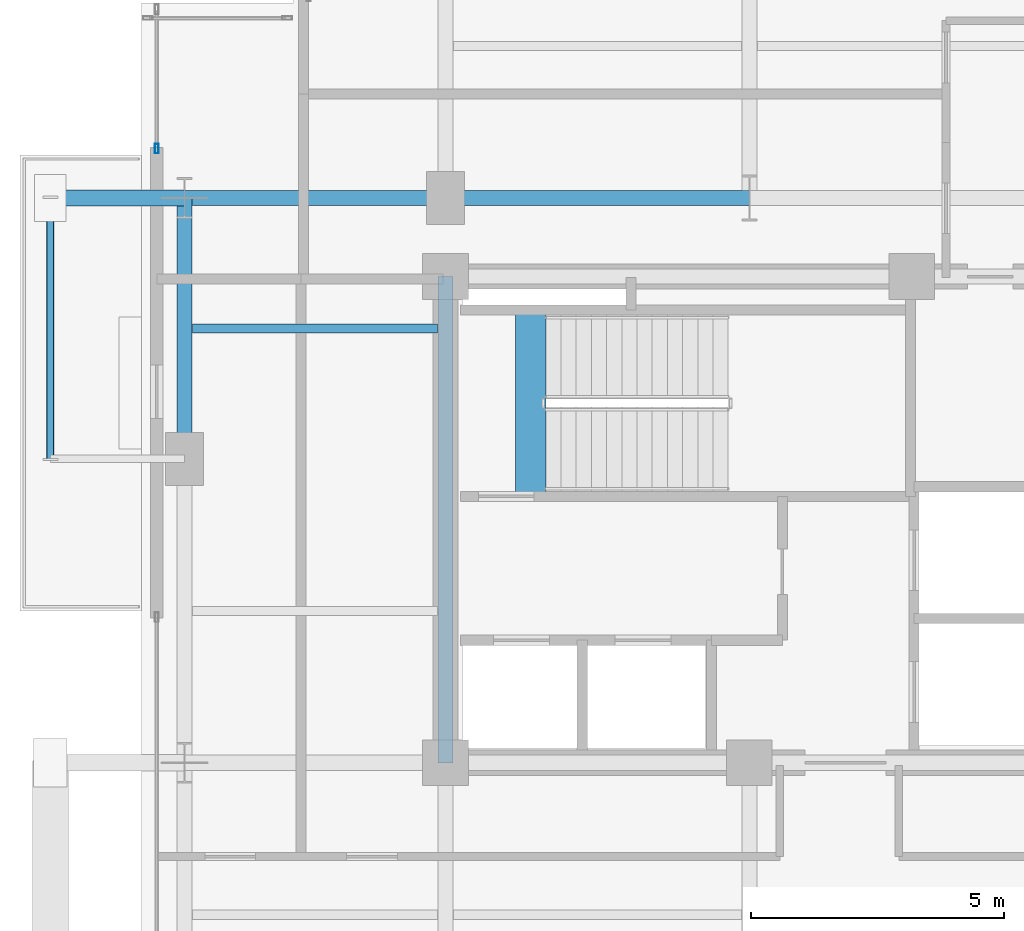
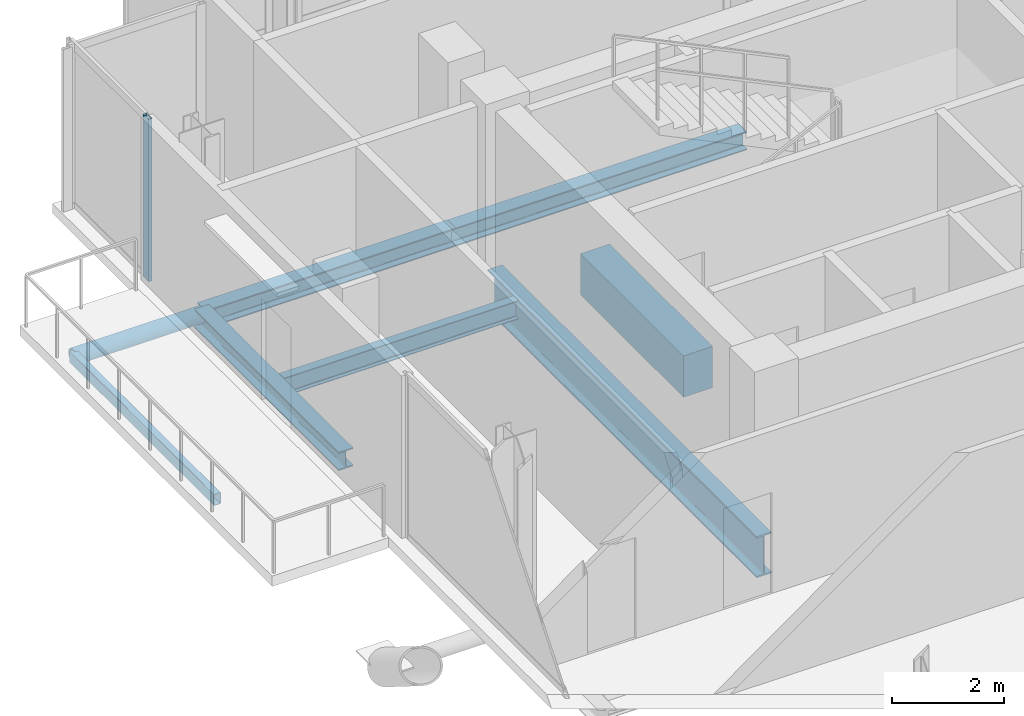
# One storey, part 8 of 25: 7 beams, 2 members, 1 element without a shape of its own.
"""IFC4 building model written with IfcOpenShell, lengths in metres."""

import ifcopenshell
import ifcopenshell.guid

model = None  # the IFC model being written
_history = None  # IfcOwnerHistory: only IFC2X3 demands one
_inside = {}  # id of a spatial element -> (the spatial element, [elements in it])
_under = {}  # id of a project, library or spatial element -> (it, [spatial elements below it])
_declared = {}  # id of a project -> (the project, [libraries it declares])
_typed = {}  # id of a type object -> (the type object, [elements of that type])
_made_of = {}  # id of a material, layer set ... -> (it, [elements and type objects made of it])


def new_model(schema):
    """Start an empty IFC model of exactly this schema.

    Asked for "IFC4X3", IfcOpenShell would pick the latest addendum, in which some entities
    have other attributes; the version numbers below select the first issue.
    IFC2X3 requires an IfcOwnerHistory on every rooted entity: one is made here for all.
    """
    global model, _history
    if schema == "IFC4X3":
        model = ifcopenshell.file(schema_version=(4, 3, 0, 0))
    else:
        model = ifcopenshell.file(schema=schema)
    _inside.clear()
    _under.clear()
    _declared.clear()
    _typed.clear()
    _made_of.clear()
    _history = None
    if model.schema == "IFC2X3":
        org = make("IfcOrganization", Name="unknown")
        user = make(
            "IfcPersonAndOrganization",
            ThePerson=make("IfcPerson", FamilyName="unknown"),
            TheOrganization=org,
        )
        app = make(
            "IfcApplication",
            ApplicationDeveloper=org,
            Version="unknown",
            ApplicationFullName="unknown",
            ApplicationIdentifier="unknown",
        )
        _history = make(
            "IfcOwnerHistory",
            OwningUser=user,
            OwningApplication=app,
            ChangeAction="ADDED",
            CreationDate=0,
        )
    return model


def make(cls, **values):
    """One entity of the class cls with the attributes given. An attribute that is None is left unset."""
    return model.create_entity(
        cls, **{name: value for name, value in values.items() if value is not None}
    )


def rooted(cls, **values):
    """An entity with a GlobalId (a new one), such as an element, a storey or a relation."""
    return make(cls, GlobalId=ifcopenshell.guid.new(), OwnerHistory=_history, **values)


def si_unit(unit_type, name, prefix=None):
    """IfcSIUnit, for example si_unit("LENGTHUNIT", "METRE", prefix="MILLI")."""
    return make("IfcSIUnit", UnitType=unit_type, Prefix=prefix, Name=name)


def assignment(units):
    """IfcUnitAssignment: the units of a project."""
    return None if units is None else make("IfcUnitAssignment", Units=units)


def point(xyz):
    """IfcCartesianPoint."""
    return None if xyz is None else make("IfcCartesianPoint", Coordinates=xyz)


def direction(xyz):
    """IfcDirection."""
    return None if xyz is None else make("IfcDirection", DirectionRatios=xyz)


def frame(location, z_axis=None, x_axis=None):
    """IfcAxis2Placement3D, a coordinate frame: its origin and axes. An axis left out is left unset."""
    return make(
        "IfcAxis2Placement3D",
        Location=point(location),
        Axis=direction(z_axis),
        RefDirection=direction(x_axis),
    )


def frame_2d(location, x_axis=None):
    """IfcAxis2Placement2D, a coordinate frame in the plane: its origin and x axis."""
    return make(
        "IfcAxis2Placement2D", Location=point(location), RefDirection=direction(x_axis)
    )


def origin():
    """The frame at (0, 0, 0) with its axes left unset."""
    return frame((0.0, 0.0, 0.0))


def origin_2d():
    """The frame at (0, 0) in the plane with its x axis left unset."""
    return frame_2d((0.0, 0.0))


def place(relative_to, where):
    """IfcLocalPlacement: puts the frame where relative to a parent placement (None: the world)."""
    return make(
        "IfcLocalPlacement", PlacementRelTo=relative_to, RelativePlacement=where
    )


def context(
    kind, dimensions, precision=None, world=None, true_north=None, identifier=None
):
    """IfcGeometricRepresentationContext, for example the 3D "Model" context."""
    return make(
        "IfcGeometricRepresentationContext",
        ContextIdentifier=identifier,
        ContextType=kind,
        CoordinateSpaceDimension=dimensions,
        Precision=precision,
        WorldCoordinateSystem=world,
        TrueNorth=true_north,
    )


def subcontext(parent, identifier, kind, view, scale=None):
    """IfcGeometricRepresentationSubContext, for example "Body" below "Model"."""
    return make(
        "IfcGeometricRepresentationSubContext",
        ContextIdentifier=identifier,
        ContextType=kind,
        ParentContext=parent,
        TargetScale=scale,
        TargetView=view,
    )


def project(units=None, contexts=None):
    """IfcProject with its units and contexts."""
    return rooted(
        "IfcProject",
        Name="project",
        RepresentationContexts=contexts,
        UnitsInContext=assignment(units),
    )


def spatial(cls, under=None, at=None, **own):
    """A site, building, storey or space (cls), placed at a placement, below another one or the project."""
    s = rooted(cls, ObjectPlacement=at, **own)
    if under is not None:
        _under.setdefault(under.id(), (under, []))[1].append(s)
    return s


def profile(cls, at=None, kind="AREA", **sizes):
    """A parametric profile (cls). Its sizes go by their IFC names, for example OverallWidth=200.0."""
    return make(cls, ProfileType=kind, Position=at, **sizes)


def rectangle(**sizes):
    """IfcRectangleProfileDef."""
    return profile("IfcRectangleProfileDef", **sizes)


def hollow_rectangle(**sizes):
    """IfcRectangleHollowProfileDef."""
    return profile("IfcRectangleHollowProfileDef", **sizes)


def hollow_circle(**sizes):
    """IfcCircleHollowProfileDef."""
    return profile("IfcCircleHollowProfileDef", **sizes)


def i_section(**sizes):
    """IfcIShapeProfileDef."""
    return profile("IfcIShapeProfileDef", **sizes)


def extrude(swept, where, along, depth):
    """IfcExtrudedAreaSolid: the profile swept, set in the frame where, extruded along a direction by depth."""
    return make(
        "IfcExtrudedAreaSolid",
        SweptArea=swept,
        Position=where,
        ExtrudedDirection=direction(along),
        Depth=depth,
    )


def shape(context_of_items, identifier, shape_type, items):
    """IfcShapeRepresentation: the items that make up one representation, for example the "Body"."""
    return make(
        "IfcShapeRepresentation",
        ContextOfItems=context_of_items,
        RepresentationIdentifier=identifier,
        RepresentationType=shape_type,
        Items=items,
    )


def material(Name=None, Category=None):
    """IfcMaterial."""
    return make("IfcMaterial", Name=Name, Category=Category)


def layer(
    of_material, thickness, ventilated=None, Name=None, Category=None, Priority=None
):
    """IfcMaterialLayer: one layer of a wall or slab, of a material (None: an air gap)."""
    return make(
        "IfcMaterialLayer",
        Material=of_material,
        LayerThickness=thickness,
        IsVentilated=ventilated,
        Name=Name,
        Category=Category,
        Priority=Priority,
    )


def layer_set(layers, Name=None):
    """IfcMaterialLayerSet."""
    return make("IfcMaterialLayerSet", MaterialLayers=layers, LayerSetName=Name)


def material_profile(
    of_material, cross_section, Name=None, Category=None, Priority=None
):
    """IfcMaterialProfile: a cross section and its material."""
    return make(
        "IfcMaterialProfile",
        Name=Name,
        Material=of_material,
        Profile=cross_section,
        Priority=Priority,
        Category=Category,
    )


def profile_set(profiles, Name=None, composite=None):
    """IfcMaterialProfileSet."""
    return make(
        "IfcMaterialProfileSet",
        Name=Name,
        MaterialProfiles=profiles,
        CompositeProfile=composite,
    )


def made_of(thing, what):
    """Note that an element or type object is made of a material, layer set ...; save() writes the relation."""
    if what is not None:
        _made_of.setdefault(what.id(), (what, []))[1].append(thing)
    return thing


def type_object(cls, material=None, **own):
    """A type object (cls), such as IfcWallType, which elements share."""
    return made_of(rooted(cls, **own), material)


def element(
    cls,
    number,
    at=None,
    inside=None,
    cuts=None,
    type_object=None,
    material=None,
    context=None,
    identifier="Body",
    shape_type=None,
    held_by="IfcProductDefinitionShape",
    body=None,
    shapes=None,
    **own,
):
    """One element of the class cls, such as IfcWall. Its Tag is "e" and its number.

    at: its placement. inside: the storey or other place that contains it. cuts: it is an
    opening in that element (IfcRelVoidsElement). A single representation is given by context,
    identifier, shape_type and body (its items); several are given by shapes. held_by: the class
    of the entity that holds the representations. save() writes the other relations.
    """
    e = rooted(cls, Tag="e%d" % number, ObjectPlacement=at, **own)
    if body is not None:
        shapes = [shape(context, identifier, shape_type, body)]
    if shapes is not None:
        e.Representation = make(held_by, Representations=shapes)
    if inside is not None:
        _inside.setdefault(inside.id(), (inside, []))[1].append(e)
    if cuts is not None:
        rooted(
            "IfcRelVoidsElement", RelatingBuildingElement=cuts, RelatedOpeningElement=e
        )
    if type_object is not None:
        _typed.setdefault(type_object.id(), (type_object, []))[1].append(e)
    return made_of(e, material)


def aggregate(whole, parts):
    """IfcRelAggregates: a whole, such as a stair, and the parts it consists of."""
    return rooted("IfcRelAggregates", RelatingObject=whole, RelatedObjects=parts)


def save(model, path):
    """Write the relations noted so far, then the file.

    IfcRelAggregates (storeys below a building ...), IfcRelContainedInSpatialStructure (elements
    in a storey), IfcRelDefinesByType, IfcRelAssociatesMaterial and IfcRelDeclares: one each for
    every whole, place, type object, material and project.
    """
    for whole, parts in _under.values():
        aggregate(whole, parts)
    for where, things in _inside.values():
        rooted(
            "IfcRelContainedInSpatialStructure",
            RelatedElements=things,
            RelatingStructure=where,
        )
    for kind, things in _typed.values():
        rooted("IfcRelDefinesByType", RelatedObjects=things, RelatingType=kind)
    for what, things in _made_of.values():
        rooted("IfcRelAssociatesMaterial", RelatedObjects=things, RelatingMaterial=what)
    for by, libraries in _declared.values():
        rooted("IfcRelDeclares", RelatingContext=by, RelatedDefinitions=libraries)
    model.write(path)


model = new_model("IFC4")

# Units and contexts
model_context = context("Model", 3, precision=1e-05, world=origin(), true_north=direction((0.0, 1.0)))
body_context = subcontext(model_context, "Body", "Model", "MODEL_VIEW")
ifc_project = project(units=[si_unit("LENGTHUNIT", "METRE"), si_unit("AREAUNIT", "SQUARE_METRE"), si_unit("VOLUMEUNIT", "CUBIC_METRE"), si_unit("PLANEANGLEUNIT", "RADIAN"), si_unit("MASSUNIT", "GRAM", prefix="KILO"), si_unit("THERMODYNAMICTEMPERATUREUNIT", "KELVIN"), si_unit("POWERUNIT", "WATT")], contexts=[model_context])

# Site, building, storey
site_placement = place(None, origin())
site = spatial("IfcSite", under=ifc_project, at=site_placement, CompositionType="ELEMENT")
building_placement = place(site_placement, origin())
building = spatial("IfcBuilding", under=site, at=building_placement, Name="Svarakhadi Broadcast Tower", CompositionType="ELEMENT")
storey_placement = place(building_placement, frame((0.0, 0.0, 227.39990234375)))
storey = spatial("IfcBuildingStorey", under=building, at=storey_placement, Name="L56", CompositionType="ELEMENT", Elevation=227.39990234375)

# Beam
ifc_material_1 = material(Name="Steel S355J2 (IS 2062 E350C)", Category="steel")
ifc_material_profile_1 = material_profile(ifc_material_1, i_section(OverallWidth=0.179931640625, OverallDepth=0.39990234375, WebThickness=0.008544921875, FlangeThickness=0.013427734375, FilletRadius=0.02099609375, at=origin_2d()), Name="NPB 400x180x66")
ifc_profile_set_1 = profile_set([ifc_material_profile_1], Name="Steel S355J2 (IS 2062 E350C)")
beam_type_1 = type_object("IfcBeamType", Name="Beam_NPB400", PredefinedType="BEAM", material=ifc_profile_set_1)
beam_1_placement = place(storey_placement, frame((1.010009765625, 26.574951171875, -0.409912109375), z_axis=(1.0, 0.0, 0.0), x_axis=(0.0, 1.0, 0.0)))
element("IfcBeam", 1, at=beam_1_placement, inside=storey, type_object=beam_type_1, Name="L56 Secondary Composite Beam SB004", PredefinedType="BEAM", context=body_context, shape_type="SweptSolid", body=[
    extrude(i_section(OverallWidth=0.179931640625, OverallDepth=0.39990234375, WebThickness=0.008544921875, FlangeThickness=0.013427734375, FilletRadius=0.02099609375, at=origin_2d()), origin(), (0.0, 0.0, 1.0), 4.830078125),
])

# Curtain wall, member
ifc_material_2 = material(Name="Anodised Bronze Aluminium AA 6063-T6", Category="aluminium")
ifc_layer = layer(ifc_material_2, 0.18994140625)
ifc_layer_set = layer_set([ifc_layer], Name="Anodised Bronze Aluminium AA 6063-T6")
curtain_wall_type = type_object("IfcCurtainWallType", Name="CW_Sys_04", PredefinedType="NOTDEFINED", material=ifc_layer_set)
curtain_wall_placement = place(storey_placement, origin())
curtain_wall = element("IfcCurtainWall", 2, at=curtain_wall_placement, inside=storey, type_object=curtain_wall_type, Name="L56 West Curtain Wall 03", PredefinedType="NOTDEFINED")
ifc_material_profile_2 = material_profile(ifc_material_2, hollow_rectangle(XDim=0.070068359375, YDim=0.18994140625, WallThickness=0.005615234375, at=origin_2d()), Name="ALU MULLION 190x70x6")
ifc_profile_set_2 = profile_set([ifc_material_profile_2], Name="Anodised Bronze Aluminium AA 6063-T6")
member_type_1 = type_object("IfcMemberType", Name="CW_Sys_04_Mul", PredefinedType="MULLION", material=ifc_profile_set_2)
member_1_placement = place(storey_placement, frame((0.300048828125, 30.125, 0.0), z_axis=(0.0, 0.0, 1.0), x_axis=(-1.0, 0.0, 0.0)))
member_1 = element("IfcMember", 3, at=member_1_placement, type_object=member_type_1, Name="CW-04 mullion 1", PredefinedType="MULLION", context=body_context, shape_type="SweptSolid", body=[
    extrude(hollow_rectangle(XDim=0.070068359375, YDim=0.18994140625, WallThickness=0.005615234375, at=origin_2d()), origin(), (0.0, 0.0, 1.0), 3.5400390625),
])
aggregate(curtain_wall, [member_1])

# Beam
ifc_material_3 = material(Name="Concrete C50/60 (IS 456 M60)", Category="concrete")
ifc_material_profile_3 = material_profile(ifc_material_3, rectangle(XDim=0.60009765625, YDim=0.89990234375, at=origin_2d()), Name="RC 600x900")
ifc_profile_set_3 = profile_set([ifc_material_profile_3], Name="Concrete C50/60 (IS 456 M60)")
beam_type_2 = type_object("IfcBeamType", Name="Coupling_RC600", PredefinedType="USERDEFINED", material=ifc_profile_set_3)
beam_2_placement = place(storey_placement, frame((7.679931640625, 23.260009765625, -0.449951171875), z_axis=(0.0, 1.0, 0.0), x_axis=(-1.0, 0.0, 0.0)))
element("IfcBeam", 4, at=beam_2_placement, inside=storey, type_object=beam_type_2, Name="L56 Stair ST-01 Landing Throat Trimmer Beam CB-01", ObjectType="GIRDER", PredefinedType="USERDEFINED", context=body_context, shape_type="SweptSolid", body=[
    extrude(rectangle(XDim=0.60009765625, YDim=0.89990234375, at=origin_2d()), origin(), (0.0, 0.0, 1.0), 3.679931640625),
])

# Member
ifc_material_4 = material(Name="Steel S460ML (IS 2062 E450BR)", Category="steel")
ifc_material_profile_4 = material_profile(ifc_material_4, hollow_circle(Radius=0.161865234375, WallThickness=0.01611328125, at=origin_2d()), Name="CHS 323.9x16")
ifc_profile_set_4 = profile_set([ifc_material_profile_4], Name="Steel S460ML (IS 2062 E450BR)")
member_type_2 = type_object("IfcMemberType", Name="Exo_Radial_Strut_Z2", PredefinedType="STRUT", material=ifc_profile_set_4)
member_2_placement = place(storey_placement, frame((-1.800048828125, 29.14990234375, -0.371826171875), z_axis=(1.0, 0.0, 0.0), x_axis=(0.0, 1.0, 0.0)))
element("IfcMember", 5, at=member_2_placement, inside=storey, type_object=member_type_2, Name="L56 Exoskeleton Radial Tie Strut W06", PredefinedType="STRUT", context=body_context, shape_type="SweptSolid", body=[
    extrude(hollow_circle(Radius=0.161865234375, WallThickness=0.01611328125, at=origin_2d()), origin(), (0.0, 0.0, 1.0), 2.650146484375),
])

# Beams
ifc_material_profile_5 = material_profile(ifc_material_1, i_section(OverallWidth=0.300048828125, OverallDepth=0.39990234375, WebThickness=0.013427734375, FlangeThickness=0.02392578125, FilletRadius=0.027099609375, at=origin_2d()), Name="WPB 400x300x155")
ifc_profile_set_5 = profile_set([ifc_material_profile_5], Name="Steel S355J2 (IS 2062 E350C)")
beam_type_3 = type_object("IfcBeamType", Name="Girder_WPB400", PredefinedType="USERDEFINED", material=ifc_profile_set_5)
beam_3_placement = place(storey_placement, frame((0.85009765625, 29.14990234375, -0.409912109375), z_axis=(1.0, 0.0, 0.0), x_axis=(0.0, 1.0, 0.0)))
element("IfcBeam", 6, at=beam_3_placement, inside=storey, type_object=beam_type_3, Name="L56 Primary E-W Girder G028", ObjectType="GIRDER", PredefinedType="USERDEFINED", context=body_context, shape_type="SweptSolid", body=[
    extrude(i_section(OverallWidth=0.300048828125, OverallDepth=0.39990234375, WebThickness=0.013427734375, FlangeThickness=0.02392578125, FilletRadius=0.027099609375, at=origin_2d()), origin(), (0.0, 0.0, 1.0), 5.14990234375),
])
beam_4_placement = place(storey_placement, frame((6.0, 29.14990234375, -0.409912109375), z_axis=(1.0, 0.0, 0.0), x_axis=(0.0, 1.0, 0.0)))
element("IfcBeam", 7, at=beam_4_placement, inside=storey, type_object=beam_type_3, Name="L56 Primary E-W Girder G029", ObjectType="GIRDER", PredefinedType="USERDEFINED", context=body_context, shape_type="SweptSolid", body=[
    extrude(i_section(OverallWidth=0.300048828125, OverallDepth=0.39990234375, WebThickness=0.013427734375, FlangeThickness=0.02392578125, FilletRadius=0.027099609375, at=origin_2d()), origin(), (0.0, 0.0, 1.0), 6.0),
])
beam_5_placement = place(storey_placement, frame((0.85009765625, 24.0, -0.409912109375), z_axis=(0.0, 1.0, 0.0), x_axis=(-1.0, 0.0, 0.0)))
element("IfcBeam", 8, at=beam_5_placement, inside=storey, type_object=beam_type_3, Name="L56 Primary N-S Girder G036", ObjectType="GIRDER", PredefinedType="USERDEFINED", context=body_context, shape_type="SweptSolid", body=[
    extrude(i_section(OverallWidth=0.300048828125, OverallDepth=0.39990234375, WebThickness=0.013427734375, FlangeThickness=0.02392578125, FilletRadius=0.027099609375, at=origin_2d()), origin(), (0.0, 0.0, 1.0), 5.14990234375),
])
ifc_material_profile_6 = material_profile(ifc_material_4, i_section(OverallWidth=0.300048828125, OverallDepth=0.89990234375, WebThickness=0.0185546875, FlangeThickness=0.034912109375, FilletRadius=0.030029296875, at=origin_2d()), Name="WPB 900x300x291")
ifc_profile_set_6 = profile_set([ifc_material_profile_6], Name="Steel S460ML (IS 2062 E450BR)")
beam_type_4 = type_object("IfcBeamType", Name="Girder_WPB900", PredefinedType="USERDEFINED", material=ifc_profile_set_6)
beam_6_placement = place(storey_placement, frame((6.0, 18.0, -0.659912109375), z_axis=(0.0, 1.0, 0.0), x_axis=(-1.0, 0.0, 0.0)))
element("IfcBeam", 9, at=beam_6_placement, inside=storey, type_object=beam_type_4, Name="L56 Primary N-S Girder G040", ObjectType="GIRDER", PredefinedType="USERDEFINED", context=body_context, shape_type="SweptSolid", body=[
    extrude(i_section(OverallWidth=0.300048828125, OverallDepth=0.89990234375, WebThickness=0.0185546875, FlangeThickness=0.034912109375, FilletRadius=0.030029296875, at=origin_2d()), origin(), (0.0, 0.0, 1.0), 9.60009765625),
])
ifc_material_profile_7 = material_profile(ifc_material_4, hollow_rectangle(XDim=0.14990234375, YDim=0.25, WallThickness=0.010009765625, InnerFilletRadius=0.010009765625, OuterFilletRadius=0.02001953125, at=origin_2d()), Name="RHS 250x150x10")
ifc_profile_set_7 = profile_set([ifc_material_profile_7], Name="Steel S460ML (IS 2062 E450BR)")
beam_type_5 = type_object("IfcBeamType", Name="Spandrel_RHS250", PredefinedType="SPANDREL", material=ifc_profile_set_7)
beam_7_placement = place(storey_placement, frame((-1.800048828125, 24.0, -0.349853515625), z_axis=(0.0, 1.0, 0.0), x_axis=(-1.0, 0.0, 0.0)))
element("IfcBeam", 10, at=beam_7_placement, inside=storey, type_object=beam_type_5, Name="L56 Balcony Outer Spandrel 2F", PredefinedType="SPANDREL", context=body_context, shape_type="SweptSolid", body=[
    extrude(hollow_rectangle(XDim=0.14990234375, YDim=0.25, WallThickness=0.010009765625, InnerFilletRadius=0.010009765625, OuterFilletRadius=0.02001953125, at=origin_2d()), origin(), (0.0, 0.0, 1.0), 5.14990234375),
])

save(model, "model.ifc")
